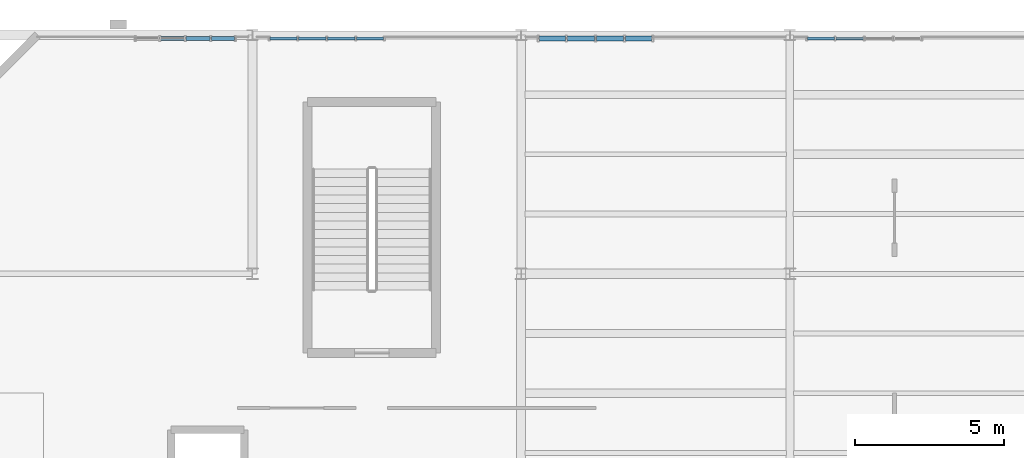
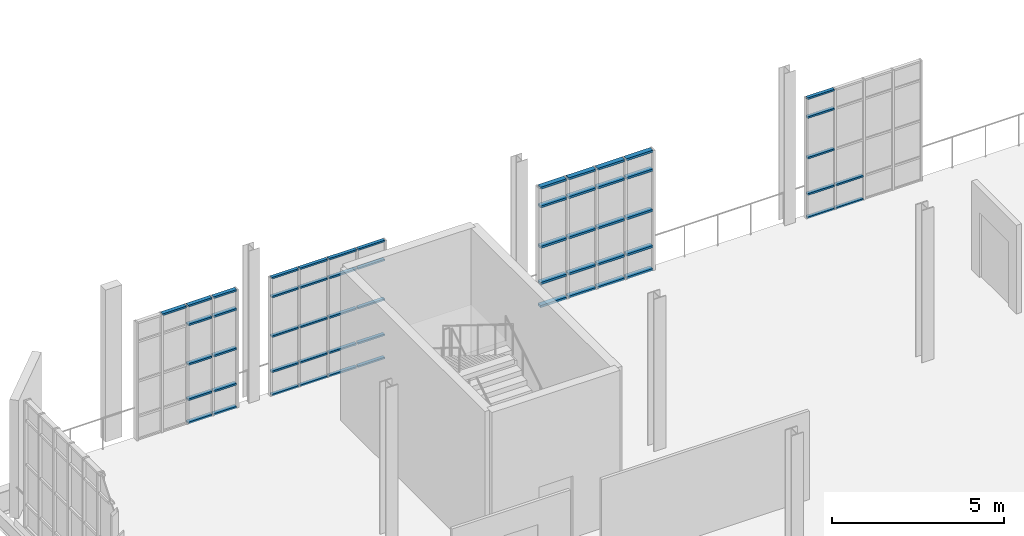
# One storey, part 96 of 142: 58 members, 4 elements without a shape of their own.
"""IFC4 building model written with IfcOpenShell, lengths in metres."""

from ifc_helpers import new_model, si_unit, direction, frame, origin, origin_2d, place, context, subcontext, project, spatial, hollow_rectangle, extrude, material, layer, layer_set, material_profile, profile_set, type_object, element, aggregate, save


model = new_model("IFC4")

# Units and contexts
model_context = context("Model", 3, precision=1e-05, world=origin(), true_north=direction((0.0, 1.0)))
body_context = subcontext(model_context, "Body", "Model", "MODEL_VIEW")
ifc_project = project(units=[si_unit("LENGTHUNIT", "METRE"), si_unit("AREAUNIT", "SQUARE_METRE"), si_unit("VOLUMEUNIT", "CUBIC_METRE"), si_unit("PLANEANGLEUNIT", "RADIAN"), si_unit("MASSUNIT", "GRAM", prefix="KILO"), si_unit("THERMODYNAMICTEMPERATUREUNIT", "KELVIN"), si_unit("POWERUNIT", "WATT")], contexts=[model_context])

# Site, building, storey
site_placement = place(None, origin())
site = spatial("IfcSite", under=ifc_project, at=site_placement, CompositionType="ELEMENT")
building_placement = place(site_placement, origin())
building = spatial("IfcBuilding", under=site, at=building_placement, Name="Zelmaris Science Centre", CompositionType="ELEMENT")
storey_placement = place(building_placement, frame((0.0, 0.0, 5.39990234375)))
storey = spatial("IfcBuildingStorey", under=building, at=storey_placement, Name="L01", CompositionType="ELEMENT", Elevation=5.39990234375)

# Curtain wall, members
ifc_material = material(Name="Anodised architectural aluminium 6063-T6", Category="aluminium")
ifc_layer_1 = layer(ifc_material, 0.219970703125, Name="Anodised architectural aluminium 6063-T6")
ifc_layer_set_1 = layer_set([ifc_layer_1], Name="Anodised architectural aluminium 6063-T6")
curtain_wall_type_1 = type_object("IfcCurtainWallType", Name="Curtain Wall CW-04", PredefinedType="USERDEFINED", material=ifc_layer_set_1)
curtain_wall_1_placement = place(storey_placement, origin())
curtain_wall_1 = element("IfcCurtainWall", 1, at=curtain_wall_1_placement, inside=storey, type_object=curtain_wall_type_1, Name="L01 Unitised curtain wall 132", ObjectType="GLAZED CURTAIN WALL", PredefinedType="USERDEFINED")
ifc_material_profile_1 = material_profile(ifc_material, hollow_rectangle(XDim=0.06005859375, YDim=0.110107421875, WallThickness=0.0029296875, at=origin_2d()), Name="ALU-TRN-60X110")
ifc_profile_set_1 = profile_set([ifc_material_profile_1], Name="Anodised architectural aluminium 6063-T6")
member_type_1 = type_object("IfcMemberType", Name="ALU-TRN-60X110", PredefinedType="USERDEFINED", material=ifc_profile_set_1)
member_1_placement = place(storey_placement, frame((63.592041015625, 87.8798828125, 0.010986328125), z_axis=(1.0, 0.0, 0.0), x_axis=(0.0, 0.0, 1.0)))
member_1 = element("IfcMember", 2, at=member_1_placement, type_object=member_type_1, Name="CW-04 transom 1.1", ObjectType="TRANSOM", PredefinedType="USERDEFINED", context=body_context, shape_type="SweptSolid", body=[
    extrude(hollow_rectangle(XDim=0.06005859375, YDim=0.110107421875, WallThickness=0.0029296875, at=origin_2d()), origin(), (0.0, 0.0, 1.0), 0.89697265625),
])
member_2_placement = place(storey_placement, frame((63.592041015625, 87.8798828125, 0.835205078125), z_axis=(1.0, 0.0, 0.0), x_axis=(0.0, 0.0, 1.0)))
member_2 = element("IfcMember", 3, at=member_2_placement, type_object=member_type_1, Name="CW-04 transom 1.2", ObjectType="TRANSOM", PredefinedType="USERDEFINED", context=body_context, shape_type="SweptSolid", body=[
    extrude(hollow_rectangle(XDim=0.06005859375, YDim=0.110107421875, WallThickness=0.0029296875, at=origin_2d()), origin(), (0.0, 0.0, 1.0), 0.89697265625),
])
member_3_placement = place(storey_placement, frame((63.592041015625, 87.8798828125, 2.088134765625), z_axis=(1.0, 0.0, 0.0), x_axis=(0.0, 0.0, 1.0)))
member_3 = element("IfcMember", 4, at=member_3_placement, type_object=member_type_1, Name="CW-04 transom 1.3", ObjectType="TRANSOM", PredefinedType="USERDEFINED", context=body_context, shape_type="SweptSolid", body=[
    extrude(hollow_rectangle(XDim=0.06005859375, YDim=0.110107421875, WallThickness=0.0029296875, at=origin_2d()), origin(), (0.0, 0.0, 1.0), 0.89697265625),
])
member_4_placement = place(storey_placement, frame((63.592041015625, 87.8798828125, 3.4912109375), z_axis=(1.0, 0.0, 0.0), x_axis=(0.0, 0.0, 1.0)))
member_4 = element("IfcMember", 5, at=member_4_placement, type_object=member_type_1, Name="CW-04 transom 1.4", ObjectType="TRANSOM", PredefinedType="USERDEFINED", context=body_context, shape_type="SweptSolid", body=[
    extrude(hollow_rectangle(XDim=0.06005859375, YDim=0.110107421875, WallThickness=0.0029296875, at=origin_2d()), origin(), (0.0, 0.0, 1.0), 0.89697265625),
])
member_5_placement = place(storey_placement, frame((63.592041015625, 87.8798828125, 4.1650390625), z_axis=(1.0, 0.0, 0.0), x_axis=(0.0, 0.0, 1.0)))
member_5 = element("IfcMember", 6, at=member_5_placement, type_object=member_type_1, Name="CW-04 transom 1.5", ObjectType="TRANSOM", PredefinedType="USERDEFINED", context=body_context, shape_type="SweptSolid", body=[
    extrude(hollow_rectangle(XDim=0.06005859375, YDim=0.110107421875, WallThickness=0.0029296875, at=origin_2d()), origin(), (0.0, 0.0, 1.0), 0.89697265625),
])
member_6_placement = place(storey_placement, frame((64.541015625, 87.8798828125, 0.010986328125), z_axis=(1.0, 0.0, 0.0), x_axis=(0.0, 0.0, 1.0)))
member_6 = element("IfcMember", 7, at=member_6_placement, type_object=member_type_1, Name="CW-04 transom 2.1", ObjectType="TRANSOM", PredefinedType="USERDEFINED", context=body_context, shape_type="SweptSolid", body=[
    extrude(hollow_rectangle(XDim=0.06005859375, YDim=0.110107421875, WallThickness=0.0029296875, at=origin_2d()), origin(), (0.0, 0.0, 1.0), 0.923095703125),
])
member_7_placement = place(storey_placement, frame((64.541015625, 87.8798828125, 0.835205078125), z_axis=(1.0, 0.0, 0.0), x_axis=(0.0, 0.0, 1.0)))
member_7 = element("IfcMember", 8, at=member_7_placement, type_object=member_type_1, Name="CW-04 transom 2.2", ObjectType="TRANSOM", PredefinedType="USERDEFINED", context=body_context, shape_type="SweptSolid", body=[
    extrude(hollow_rectangle(XDim=0.06005859375, YDim=0.110107421875, WallThickness=0.0029296875, at=origin_2d()), origin(), (0.0, 0.0, 1.0), 0.923095703125),
])
member_8_placement = place(storey_placement, frame((64.541015625, 87.8798828125, 2.088134765625), z_axis=(1.0, 0.0, 0.0), x_axis=(0.0, 0.0, 1.0)))
member_8 = element("IfcMember", 9, at=member_8_placement, type_object=member_type_1, Name="CW-04 transom 2.3", ObjectType="TRANSOM", PredefinedType="USERDEFINED", context=body_context, shape_type="SweptSolid", body=[
    extrude(hollow_rectangle(XDim=0.06005859375, YDim=0.110107421875, WallThickness=0.0029296875, at=origin_2d()), origin(), (0.0, 0.0, 1.0), 0.923095703125),
])
member_9_placement = place(storey_placement, frame((64.541015625, 87.8798828125, 3.4912109375), z_axis=(1.0, 0.0, 0.0), x_axis=(0.0, 0.0, 1.0)))
member_9 = element("IfcMember", 10, at=member_9_placement, type_object=member_type_1, Name="CW-04 transom 2.4", ObjectType="TRANSOM", PredefinedType="USERDEFINED", context=body_context, shape_type="SweptSolid", body=[
    extrude(hollow_rectangle(XDim=0.06005859375, YDim=0.110107421875, WallThickness=0.0029296875, at=origin_2d()), origin(), (0.0, 0.0, 1.0), 0.923095703125),
])
member_10_placement = place(storey_placement, frame((64.541015625, 87.8798828125, 4.1650390625), z_axis=(1.0, 0.0, 0.0), x_axis=(0.0, 0.0, 1.0)))
member_10 = element("IfcMember", 11, at=member_10_placement, type_object=member_type_1, Name="CW-04 transom 2.5", ObjectType="TRANSOM", PredefinedType="USERDEFINED", context=body_context, shape_type="SweptSolid", body=[
    extrude(hollow_rectangle(XDim=0.06005859375, YDim=0.110107421875, WallThickness=0.0029296875, at=origin_2d()), origin(), (0.0, 0.0, 1.0), 0.923095703125),
])
member_11_placement = place(storey_placement, frame((65.51611328125, 87.8798828125, 0.010986328125), z_axis=(1.0, 0.0, 0.0), x_axis=(0.0, 0.0, 1.0)))
member_11 = element("IfcMember", 12, at=member_11_placement, type_object=member_type_1, Name="CW-04 transom 3.1", ObjectType="TRANSOM", PredefinedType="USERDEFINED", context=body_context, shape_type="SweptSolid", body=[
    extrude(hollow_rectangle(XDim=0.06005859375, YDim=0.110107421875, WallThickness=0.0029296875, at=origin_2d()), origin(), (0.0, 0.0, 1.0), 0.9228515625),
])
member_12_placement = place(storey_placement, frame((65.51611328125, 87.8798828125, 0.835205078125), z_axis=(1.0, 0.0, 0.0), x_axis=(0.0, 0.0, 1.0)))
member_12 = element("IfcMember", 13, at=member_12_placement, type_object=member_type_1, Name="CW-04 transom 3.2", ObjectType="TRANSOM", PredefinedType="USERDEFINED", context=body_context, shape_type="SweptSolid", body=[
    extrude(hollow_rectangle(XDim=0.06005859375, YDim=0.110107421875, WallThickness=0.0029296875, at=origin_2d()), origin(), (0.0, 0.0, 1.0), 0.9228515625),
])
member_13_placement = place(storey_placement, frame((65.51611328125, 87.8798828125, 2.088134765625), z_axis=(1.0, 0.0, 0.0), x_axis=(0.0, 0.0, 1.0)))
member_13 = element("IfcMember", 14, at=member_13_placement, type_object=member_type_1, Name="CW-04 transom 3.3", ObjectType="TRANSOM", PredefinedType="USERDEFINED", context=body_context, shape_type="SweptSolid", body=[
    extrude(hollow_rectangle(XDim=0.06005859375, YDim=0.110107421875, WallThickness=0.0029296875, at=origin_2d()), origin(), (0.0, 0.0, 1.0), 0.9228515625),
])
member_14_placement = place(storey_placement, frame((65.51611328125, 87.8798828125, 3.4912109375), z_axis=(1.0, 0.0, 0.0), x_axis=(0.0, 0.0, 1.0)))
member_14 = element("IfcMember", 15, at=member_14_placement, type_object=member_type_1, Name="CW-04 transom 3.4", ObjectType="TRANSOM", PredefinedType="USERDEFINED", context=body_context, shape_type="SweptSolid", body=[
    extrude(hollow_rectangle(XDim=0.06005859375, YDim=0.110107421875, WallThickness=0.0029296875, at=origin_2d()), origin(), (0.0, 0.0, 1.0), 0.9228515625),
])
member_15_placement = place(storey_placement, frame((65.51611328125, 87.8798828125, 4.1650390625), z_axis=(1.0, 0.0, 0.0), x_axis=(0.0, 0.0, 1.0)))
member_15 = element("IfcMember", 16, at=member_15_placement, type_object=member_type_1, Name="CW-04 transom 3.5", ObjectType="TRANSOM", PredefinedType="USERDEFINED", context=body_context, shape_type="SweptSolid", body=[
    extrude(hollow_rectangle(XDim=0.06005859375, YDim=0.110107421875, WallThickness=0.0029296875, at=origin_2d()), origin(), (0.0, 0.0, 1.0), 0.9228515625),
])
member_16_placement = place(storey_placement, frame((66.490966796875, 87.8798828125, 0.010986328125), z_axis=(1.0, 0.0, 0.0), x_axis=(0.0, 0.0, 1.0)))
member_16 = element("IfcMember", 17, at=member_16_placement, type_object=member_type_1, Name="CW-04 transom 4.1", ObjectType="TRANSOM", PredefinedType="USERDEFINED", context=body_context, shape_type="SweptSolid", body=[
    extrude(hollow_rectangle(XDim=0.06005859375, YDim=0.110107421875, WallThickness=0.0029296875, at=origin_2d()), origin(), (0.0, 0.0, 1.0), 0.89697265625),
])
member_17_placement = place(storey_placement, frame((66.490966796875, 87.8798828125, 0.835205078125), z_axis=(1.0, 0.0, 0.0), x_axis=(0.0, 0.0, 1.0)))
member_17 = element("IfcMember", 18, at=member_17_placement, type_object=member_type_1, Name="CW-04 transom 4.2", ObjectType="TRANSOM", PredefinedType="USERDEFINED", context=body_context, shape_type="SweptSolid", body=[
    extrude(hollow_rectangle(XDim=0.06005859375, YDim=0.110107421875, WallThickness=0.0029296875, at=origin_2d()), origin(), (0.0, 0.0, 1.0), 0.89697265625),
])
member_18_placement = place(storey_placement, frame((66.490966796875, 87.8798828125, 2.088134765625), z_axis=(1.0, 0.0, 0.0), x_axis=(0.0, 0.0, 1.0)))
member_18 = element("IfcMember", 19, at=member_18_placement, type_object=member_type_1, Name="CW-04 transom 4.3", ObjectType="TRANSOM", PredefinedType="USERDEFINED", context=body_context, shape_type="SweptSolid", body=[
    extrude(hollow_rectangle(XDim=0.06005859375, YDim=0.110107421875, WallThickness=0.0029296875, at=origin_2d()), origin(), (0.0, 0.0, 1.0), 0.89697265625),
])
member_19_placement = place(storey_placement, frame((66.490966796875, 87.8798828125, 3.4912109375), z_axis=(1.0, 0.0, 0.0), x_axis=(0.0, 0.0, 1.0)))
member_19 = element("IfcMember", 20, at=member_19_placement, type_object=member_type_1, Name="CW-04 transom 4.4", ObjectType="TRANSOM", PredefinedType="USERDEFINED", context=body_context, shape_type="SweptSolid", body=[
    extrude(hollow_rectangle(XDim=0.06005859375, YDim=0.110107421875, WallThickness=0.0029296875, at=origin_2d()), origin(), (0.0, 0.0, 1.0), 0.89697265625),
])
member_20_placement = place(storey_placement, frame((66.490966796875, 87.8798828125, 4.1650390625), z_axis=(1.0, 0.0, 0.0), x_axis=(0.0, 0.0, 1.0)))
member_20 = element("IfcMember", 21, at=member_20_placement, type_object=member_type_1, Name="CW-04 transom 4.5", ObjectType="TRANSOM", PredefinedType="USERDEFINED", context=body_context, shape_type="SweptSolid", body=[
    extrude(hollow_rectangle(XDim=0.06005859375, YDim=0.110107421875, WallThickness=0.0029296875, at=origin_2d()), origin(), (0.0, 0.0, 1.0), 0.89697265625),
])
aggregate(curtain_wall_1, [member_1, member_2, member_3, member_4, member_5, member_6, member_7, member_8, member_9, member_10, member_11, member_12, member_13, member_14, member_15, member_16, member_17, member_18, member_19, member_20])

curtain_wall_2_placement = place(storey_placement, origin())
curtain_wall_2 = element("IfcCurtainWall", 22, at=curtain_wall_2_placement, inside=storey, type_object=curtain_wall_type_1, Name="L01 Unitised curtain wall 136", ObjectType="GLAZED CURTAIN WALL", PredefinedType="USERDEFINED")
member_21_placement = place(storey_placement, frame((81.592041015625, 87.8798828125, 0.010986328125), z_axis=(1.0, 0.0, 0.0), x_axis=(0.0, 0.0, 1.0)))
member_21 = element("IfcMember", 23, at=member_21_placement, type_object=member_type_1, Name="CW-04 transom 1.1", ObjectType="TRANSOM", PredefinedType="USERDEFINED", context=body_context, shape_type="SweptSolid", body=[
    extrude(hollow_rectangle(XDim=0.06005859375, YDim=0.110107421875, WallThickness=0.0029296875, at=origin_2d()), origin(), (0.0, 0.0, 1.0), 0.89697265625),
])
member_22_placement = place(storey_placement, frame((81.592041015625, 87.8798828125, 0.835205078125), z_axis=(1.0, 0.0, 0.0), x_axis=(0.0, 0.0, 1.0)))
member_22 = element("IfcMember", 24, at=member_22_placement, type_object=member_type_1, Name="CW-04 transom 1.2", ObjectType="TRANSOM", PredefinedType="USERDEFINED", context=body_context, shape_type="SweptSolid", body=[
    extrude(hollow_rectangle(XDim=0.06005859375, YDim=0.110107421875, WallThickness=0.0029296875, at=origin_2d()), origin(), (0.0, 0.0, 1.0), 0.89697265625),
])
member_23_placement = place(storey_placement, frame((81.592041015625, 87.8798828125, 2.12451171875), z_axis=(1.0, 0.0, 0.0), x_axis=(0.0, 0.0, 1.0)))
member_23 = element("IfcMember", 25, at=member_23_placement, type_object=member_type_1, Name="CW-04 transom 1.3", ObjectType="TRANSOM", PredefinedType="USERDEFINED", context=body_context, shape_type="SweptSolid", body=[
    extrude(hollow_rectangle(XDim=0.06005859375, YDim=0.110107421875, WallThickness=0.0029296875, at=origin_2d()), origin(), (0.0, 0.0, 1.0), 0.89697265625),
])
member_24_placement = place(storey_placement, frame((81.592041015625, 87.8798828125, 3.564208984375), z_axis=(1.0, 0.0, 0.0), x_axis=(0.0, 0.0, 1.0)))
member_24 = element("IfcMember", 26, at=member_24_placement, type_object=member_type_1, Name="CW-04 transom 1.4", ObjectType="TRANSOM", PredefinedType="USERDEFINED", context=body_context, shape_type="SweptSolid", body=[
    extrude(hollow_rectangle(XDim=0.06005859375, YDim=0.110107421875, WallThickness=0.0029296875, at=origin_2d()), origin(), (0.0, 0.0, 1.0), 0.89697265625),
])
member_25_placement = place(storey_placement, frame((81.592041015625, 87.8798828125, 4.238037109375), z_axis=(1.0, 0.0, 0.0), x_axis=(0.0, 0.0, 1.0)))
member_25 = element("IfcMember", 27, at=member_25_placement, type_object=member_type_1, Name="CW-04 transom 1.5", ObjectType="TRANSOM", PredefinedType="USERDEFINED", context=body_context, shape_type="SweptSolid", body=[
    extrude(hollow_rectangle(XDim=0.06005859375, YDim=0.110107421875, WallThickness=0.0029296875, at=origin_2d()), origin(), (0.0, 0.0, 1.0), 0.89697265625),
])
member_26_placement = place(storey_placement, frame((82.541015625, 87.8798828125, 0.010986328125), z_axis=(1.0, 0.0, 0.0), x_axis=(0.0, 0.0, 1.0)))
member_26 = element("IfcMember", 28, at=member_26_placement, type_object=member_type_1, Name="CW-04 transom 2.1", ObjectType="TRANSOM", PredefinedType="USERDEFINED", context=body_context, shape_type="SweptSolid", body=[
    extrude(hollow_rectangle(XDim=0.06005859375, YDim=0.110107421875, WallThickness=0.0029296875, at=origin_2d()), origin(), (0.0, 0.0, 1.0), 0.923095703125),
])
member_27_placement = place(storey_placement, frame((82.541015625, 87.8798828125, 0.835205078125), z_axis=(1.0, 0.0, 0.0), x_axis=(0.0, 0.0, 1.0)))
member_27 = element("IfcMember", 29, at=member_27_placement, type_object=member_type_1, Name="CW-04 transom 2.2", ObjectType="TRANSOM", PredefinedType="USERDEFINED", context=body_context, shape_type="SweptSolid", body=[
    extrude(hollow_rectangle(XDim=0.06005859375, YDim=0.110107421875, WallThickness=0.0029296875, at=origin_2d()), origin(), (0.0, 0.0, 1.0), 0.923095703125),
])
aggregate(curtain_wall_2, [member_21, member_22, member_23, member_24, member_25, member_26, member_27])

ifc_layer_2 = layer(ifc_material, 0.2099609375, Name="Anodised architectural aluminium 6063-T6")
ifc_layer_set_2 = layer_set([ifc_layer_2], Name="Anodised architectural aluminium 6063-T6")
curtain_wall_type_2 = type_object("IfcCurtainWallType", Name="Curtain Wall CW-03", PredefinedType="USERDEFINED", material=ifc_layer_set_2)
curtain_wall_3_placement = place(storey_placement, origin())
curtain_wall_3 = element("IfcCurtainWall", 30, at=curtain_wall_3_placement, inside=storey, type_object=curtain_wall_type_2, Name="L01 Unitised curtain wall 131", ObjectType="GLAZED CURTAIN WALL", PredefinedType="USERDEFINED")
ifc_material_profile_2 = material_profile(ifc_material, hollow_rectangle(XDim=0.06494140625, YDim=0.1298828125, WallThickness=0.00341796875, at=origin_2d()), Name="ALU-TRN-65X130")
ifc_profile_set_2 = profile_set([ifc_material_profile_2], Name="Anodised architectural aluminium 6063-T6")
member_type_2 = type_object("IfcMemberType", Name="ALU-TRN-65X130", PredefinedType="USERDEFINED", material=ifc_profile_set_2)
member_28_placement = place(storey_placement, frame((59.923583984375, 87.8798828125, 4.16259765625), z_axis=(1.0, 0.0, 0.0), x_axis=(0.0, 0.0, 1.0)))
member_28 = element("IfcMember", 31, at=member_28_placement, type_object=member_type_2, Name="CW-03 transom 2.5", ObjectType="TRANSOM", PredefinedType="USERDEFINED", context=body_context, shape_type="SweptSolid", body=[
    extrude(hollow_rectangle(XDim=0.06494140625, YDim=0.1298828125, WallThickness=0.00341796875, at=origin_2d()), origin(), (0.0, 0.0, 1.0), 0.7978515625),
])
member_29_placement = place(storey_placement, frame((60.778564453125, 87.8798828125, 0.013671875), z_axis=(1.0, 0.0, 0.0), x_axis=(0.0, 0.0, 1.0)))
member_29 = element("IfcMember", 32, at=member_29_placement, type_object=member_type_2, Name="CW-03 transom 3.1", ObjectType="TRANSOM", PredefinedType="USERDEFINED", context=body_context, shape_type="SweptSolid", body=[
    extrude(hollow_rectangle(XDim=0.06494140625, YDim=0.1298828125, WallThickness=0.00341796875, at=origin_2d()), origin(), (0.0, 0.0, 1.0), 0.7978515625),
])
member_30_placement = place(storey_placement, frame((60.778564453125, 87.8798828125, 0.835205078125), z_axis=(1.0, 0.0, 0.0), x_axis=(0.0, 0.0, 1.0)))
member_30 = element("IfcMember", 33, at=member_30_placement, type_object=member_type_2, Name="CW-03 transom 3.2", ObjectType="TRANSOM", PredefinedType="USERDEFINED", context=body_context, shape_type="SweptSolid", body=[
    extrude(hollow_rectangle(XDim=0.06494140625, YDim=0.1298828125, WallThickness=0.00341796875, at=origin_2d()), origin(), (0.0, 0.0, 1.0), 0.7978515625),
])
member_31_placement = place(storey_placement, frame((60.778564453125, 87.8798828125, 2.088134765625), z_axis=(1.0, 0.0, 0.0), x_axis=(0.0, 0.0, 1.0)))
member_31 = element("IfcMember", 34, at=member_31_placement, type_object=member_type_2, Name="CW-03 transom 3.3", ObjectType="TRANSOM", PredefinedType="USERDEFINED", context=body_context, shape_type="SweptSolid", body=[
    extrude(hollow_rectangle(XDim=0.06494140625, YDim=0.1298828125, WallThickness=0.00341796875, at=origin_2d()), origin(), (0.0, 0.0, 1.0), 0.7978515625),
])
member_32_placement = place(storey_placement, frame((60.778564453125, 87.8798828125, 3.4912109375), z_axis=(1.0, 0.0, 0.0), x_axis=(0.0, 0.0, 1.0)))
member_32 = element("IfcMember", 35, at=member_32_placement, type_object=member_type_2, Name="CW-03 transom 3.4", ObjectType="TRANSOM", PredefinedType="USERDEFINED", context=body_context, shape_type="SweptSolid", body=[
    extrude(hollow_rectangle(XDim=0.06494140625, YDim=0.1298828125, WallThickness=0.00341796875, at=origin_2d()), origin(), (0.0, 0.0, 1.0), 0.7978515625),
])
member_33_placement = place(storey_placement, frame((60.778564453125, 87.8798828125, 4.16259765625), z_axis=(1.0, 0.0, 0.0), x_axis=(0.0, 0.0, 1.0)))
member_33 = element("IfcMember", 36, at=member_33_placement, type_object=member_type_2, Name="CW-03 transom 3.5", ObjectType="TRANSOM", PredefinedType="USERDEFINED", context=body_context, shape_type="SweptSolid", body=[
    extrude(hollow_rectangle(XDim=0.06494140625, YDim=0.1298828125, WallThickness=0.00341796875, at=origin_2d()), origin(), (0.0, 0.0, 1.0), 0.7978515625),
])
member_34_placement = place(storey_placement, frame((61.633544921875, 87.8798828125, 0.013671875), z_axis=(1.0, 0.0, 0.0), x_axis=(0.0, 0.0, 1.0)))
member_34 = element("IfcMember", 37, at=member_34_placement, type_object=member_type_2, Name="CW-03 transom 4.1", ObjectType="TRANSOM", PredefinedType="USERDEFINED", context=body_context, shape_type="SweptSolid", body=[
    extrude(hollow_rectangle(XDim=0.06494140625, YDim=0.1298828125, WallThickness=0.00341796875, at=origin_2d()), origin(), (0.0, 0.0, 1.0), 0.76953125),
])
member_35_placement = place(storey_placement, frame((61.633544921875, 87.8798828125, 0.835205078125), z_axis=(1.0, 0.0, 0.0), x_axis=(0.0, 0.0, 1.0)))
member_35 = element("IfcMember", 38, at=member_35_placement, type_object=member_type_2, Name="CW-03 transom 4.2", ObjectType="TRANSOM", PredefinedType="USERDEFINED", context=body_context, shape_type="SweptSolid", body=[
    extrude(hollow_rectangle(XDim=0.06494140625, YDim=0.1298828125, WallThickness=0.00341796875, at=origin_2d()), origin(), (0.0, 0.0, 1.0), 0.76953125),
])
member_36_placement = place(storey_placement, frame((61.633544921875, 87.8798828125, 2.088134765625), z_axis=(1.0, 0.0, 0.0), x_axis=(0.0, 0.0, 1.0)))
member_36 = element("IfcMember", 39, at=member_36_placement, type_object=member_type_2, Name="CW-03 transom 4.3", ObjectType="TRANSOM", PredefinedType="USERDEFINED", context=body_context, shape_type="SweptSolid", body=[
    extrude(hollow_rectangle(XDim=0.06494140625, YDim=0.1298828125, WallThickness=0.00341796875, at=origin_2d()), origin(), (0.0, 0.0, 1.0), 0.76953125),
])
member_37_placement = place(storey_placement, frame((61.633544921875, 87.8798828125, 3.4912109375), z_axis=(1.0, 0.0, 0.0), x_axis=(0.0, 0.0, 1.0)))
member_37 = element("IfcMember", 40, at=member_37_placement, type_object=member_type_2, Name="CW-03 transom 4.4", ObjectType="TRANSOM", PredefinedType="USERDEFINED", context=body_context, shape_type="SweptSolid", body=[
    extrude(hollow_rectangle(XDim=0.06494140625, YDim=0.1298828125, WallThickness=0.00341796875, at=origin_2d()), origin(), (0.0, 0.0, 1.0), 0.76953125),
])
member_38_placement = place(storey_placement, frame((61.633544921875, 87.8798828125, 4.16259765625), z_axis=(1.0, 0.0, 0.0), x_axis=(0.0, 0.0, 1.0)))
member_38 = element("IfcMember", 41, at=member_38_placement, type_object=member_type_2, Name="CW-03 transom 4.5", ObjectType="TRANSOM", PredefinedType="USERDEFINED", context=body_context, shape_type="SweptSolid", body=[
    extrude(hollow_rectangle(XDim=0.06494140625, YDim=0.1298828125, WallThickness=0.00341796875, at=origin_2d()), origin(), (0.0, 0.0, 1.0), 0.76953125),
])
aggregate(curtain_wall_3, [member_28, member_29, member_30, member_31, member_32, member_33, member_34, member_35, member_36, member_37, member_38])

ifc_layer_3 = layer(ifc_material, 0.199951171875, Name="Anodised architectural aluminium 6063-T6")
ifc_layer_set_3 = layer_set([ifc_layer_3], Name="Anodised architectural aluminium 6063-T6")
curtain_wall_type_3 = type_object("IfcCurtainWallType", Name="Curtain Wall CW-02", PredefinedType="USERDEFINED", material=ifc_layer_set_3)
curtain_wall_4_placement = place(storey_placement, origin())
curtain_wall_4 = element("IfcCurtainWall", 42, at=curtain_wall_4_placement, inside=storey, type_object=curtain_wall_type_3, Name="L01 Unitised curtain wall 134", ObjectType="GLAZED CURTAIN WALL", PredefinedType="USERDEFINED")
ifc_material_profile_3 = material_profile(ifc_material, hollow_rectangle(XDim=0.074951171875, YDim=0.159912109375, WallThickness=0.00390625, at=origin_2d()), Name="ALU-TRN-75X160")
ifc_profile_set_3 = profile_set([ifc_material_profile_3], Name="Anodised architectural aluminium 6063-T6")
member_type_3 = type_object("IfcMemberType", Name="ALU-TRN-75X160", PredefinedType="USERDEFINED", material=ifc_profile_set_3)
member_39_placement = place(storey_placement, frame((72.60693359375, 87.8798828125, 0.0185546875), z_axis=(1.0, 0.0, 0.0), x_axis=(0.0, 0.0, 1.0)))
member_39 = element("IfcMember", 43, at=member_39_placement, type_object=member_type_3, Name="CW-02 transom 1.1", ObjectType="TRANSOM", PredefinedType="USERDEFINED", context=body_context, shape_type="SweptSolid", body=[
    extrude(hollow_rectangle(XDim=0.074951171875, YDim=0.159912109375, WallThickness=0.00390625, at=origin_2d()), origin(), (0.0, 0.0, 1.0), 0.87451171875),
])
member_40_placement = place(storey_placement, frame((72.60693359375, 87.8798828125, 0.835205078125), z_axis=(1.0, 0.0, 0.0), x_axis=(0.0, 0.0, 1.0)))
member_40 = element("IfcMember", 44, at=member_40_placement, type_object=member_type_3, Name="CW-02 transom 1.2", ObjectType="TRANSOM", PredefinedType="USERDEFINED", context=body_context, shape_type="SweptSolid", body=[
    extrude(hollow_rectangle(XDim=0.074951171875, YDim=0.159912109375, WallThickness=0.00390625, at=origin_2d()), origin(), (0.0, 0.0, 1.0), 0.87451171875),
])
member_41_placement = place(storey_placement, frame((72.60693359375, 87.8798828125, 2.11962890625), z_axis=(1.0, 0.0, 0.0), x_axis=(0.0, 0.0, 1.0)))
member_41 = element("IfcMember", 45, at=member_41_placement, type_object=member_type_3, Name="CW-02 transom 1.3", ObjectType="TRANSOM", PredefinedType="USERDEFINED", context=body_context, shape_type="SweptSolid", body=[
    extrude(hollow_rectangle(XDim=0.074951171875, YDim=0.159912109375, WallThickness=0.00390625, at=origin_2d()), origin(), (0.0, 0.0, 1.0), 0.87451171875),
])
member_42_placement = place(storey_placement, frame((72.60693359375, 87.8798828125, 3.55419921875), z_axis=(1.0, 0.0, 0.0), x_axis=(0.0, 0.0, 1.0)))
member_42 = element("IfcMember", 46, at=member_42_placement, type_object=member_type_3, Name="CW-02 transom 1.4", ObjectType="TRANSOM", PredefinedType="USERDEFINED", context=body_context, shape_type="SweptSolid", body=[
    extrude(hollow_rectangle(XDim=0.074951171875, YDim=0.159912109375, WallThickness=0.00390625, at=origin_2d()), origin(), (0.0, 0.0, 1.0), 0.87451171875),
])
member_43_placement = place(storey_placement, frame((72.60693359375, 87.8798828125, 4.220703125), z_axis=(1.0, 0.0, 0.0), x_axis=(0.0, 0.0, 1.0)))
member_43 = element("IfcMember", 47, at=member_43_placement, type_object=member_type_3, Name="CW-02 transom 1.5", ObjectType="TRANSOM", PredefinedType="USERDEFINED", context=body_context, shape_type="SweptSolid", body=[
    extrude(hollow_rectangle(XDim=0.074951171875, YDim=0.159912109375, WallThickness=0.00390625, at=origin_2d()), origin(), (0.0, 0.0, 1.0), 0.87451171875),
])
member_44_placement = place(storey_placement, frame((73.548583984375, 87.8798828125, 0.0185546875), z_axis=(1.0, 0.0, 0.0), x_axis=(0.0, 0.0, 1.0)))
member_44 = element("IfcMember", 48, at=member_44_placement, type_object=member_type_3, Name="CW-02 transom 2.1", ObjectType="TRANSOM", PredefinedType="USERDEFINED", context=body_context, shape_type="SweptSolid", body=[
    extrude(hollow_rectangle(XDim=0.074951171875, YDim=0.159912109375, WallThickness=0.00390625, at=origin_2d()), origin(), (0.0, 0.0, 1.0), 0.907958984375),
])
member_45_placement = place(storey_placement, frame((73.548583984375, 87.8798828125, 0.835205078125), z_axis=(1.0, 0.0, 0.0), x_axis=(0.0, 0.0, 1.0)))
member_45 = element("IfcMember", 49, at=member_45_placement, type_object=member_type_3, Name="CW-02 transom 2.2", ObjectType="TRANSOM", PredefinedType="USERDEFINED", context=body_context, shape_type="SweptSolid", body=[
    extrude(hollow_rectangle(XDim=0.074951171875, YDim=0.159912109375, WallThickness=0.00390625, at=origin_2d()), origin(), (0.0, 0.0, 1.0), 0.907958984375),
])
member_46_placement = place(storey_placement, frame((73.548583984375, 87.8798828125, 2.11962890625), z_axis=(1.0, 0.0, 0.0), x_axis=(0.0, 0.0, 1.0)))
member_46 = element("IfcMember", 50, at=member_46_placement, type_object=member_type_3, Name="CW-02 transom 2.3", ObjectType="TRANSOM", PredefinedType="USERDEFINED", context=body_context, shape_type="SweptSolid", body=[
    extrude(hollow_rectangle(XDim=0.074951171875, YDim=0.159912109375, WallThickness=0.00390625, at=origin_2d()), origin(), (0.0, 0.0, 1.0), 0.907958984375),
])
member_47_placement = place(storey_placement, frame((73.548583984375, 87.8798828125, 3.55419921875), z_axis=(1.0, 0.0, 0.0), x_axis=(0.0, 0.0, 1.0)))
member_47 = element("IfcMember", 51, at=member_47_placement, type_object=member_type_3, Name="CW-02 transom 2.4", ObjectType="TRANSOM", PredefinedType="USERDEFINED", context=body_context, shape_type="SweptSolid", body=[
    extrude(hollow_rectangle(XDim=0.074951171875, YDim=0.159912109375, WallThickness=0.00390625, at=origin_2d()), origin(), (0.0, 0.0, 1.0), 0.907958984375),
])
member_48_placement = place(storey_placement, frame((73.548583984375, 87.8798828125, 4.220703125), z_axis=(1.0, 0.0, 0.0), x_axis=(0.0, 0.0, 1.0)))
member_48 = element("IfcMember", 52, at=member_48_placement, type_object=member_type_3, Name="CW-02 transom 2.5", ObjectType="TRANSOM", PredefinedType="USERDEFINED", context=body_context, shape_type="SweptSolid", body=[
    extrude(hollow_rectangle(XDim=0.074951171875, YDim=0.159912109375, WallThickness=0.00390625, at=origin_2d()), origin(), (0.0, 0.0, 1.0), 0.907958984375),
])
member_49_placement = place(storey_placement, frame((74.5234375, 87.8798828125, 0.0185546875), z_axis=(1.0, 0.0, 0.0), x_axis=(0.0, 0.0, 1.0)))
member_49 = element("IfcMember", 53, at=member_49_placement, type_object=member_type_3, Name="CW-02 transom 3.1", ObjectType="TRANSOM", PredefinedType="USERDEFINED", context=body_context, shape_type="SweptSolid", body=[
    extrude(hollow_rectangle(XDim=0.074951171875, YDim=0.159912109375, WallThickness=0.00390625, at=origin_2d()), origin(), (0.0, 0.0, 1.0), 0.907958984375),
])
member_50_placement = place(storey_placement, frame((74.5234375, 87.8798828125, 0.835205078125), z_axis=(1.0, 0.0, 0.0), x_axis=(0.0, 0.0, 1.0)))
member_50 = element("IfcMember", 54, at=member_50_placement, type_object=member_type_3, Name="CW-02 transom 3.2", ObjectType="TRANSOM", PredefinedType="USERDEFINED", context=body_context, shape_type="SweptSolid", body=[
    extrude(hollow_rectangle(XDim=0.074951171875, YDim=0.159912109375, WallThickness=0.00390625, at=origin_2d()), origin(), (0.0, 0.0, 1.0), 0.907958984375),
])
member_51_placement = place(storey_placement, frame((74.5234375, 87.8798828125, 2.11962890625), z_axis=(1.0, 0.0, 0.0), x_axis=(0.0, 0.0, 1.0)))
member_51 = element("IfcMember", 55, at=member_51_placement, type_object=member_type_3, Name="CW-02 transom 3.3", ObjectType="TRANSOM", PredefinedType="USERDEFINED", context=body_context, shape_type="SweptSolid", body=[
    extrude(hollow_rectangle(XDim=0.074951171875, YDim=0.159912109375, WallThickness=0.00390625, at=origin_2d()), origin(), (0.0, 0.0, 1.0), 0.907958984375),
])
member_52_placement = place(storey_placement, frame((74.5234375, 87.8798828125, 3.55419921875), z_axis=(1.0, 0.0, 0.0), x_axis=(0.0, 0.0, 1.0)))
member_52 = element("IfcMember", 56, at=member_52_placement, type_object=member_type_3, Name="CW-02 transom 3.4", ObjectType="TRANSOM", PredefinedType="USERDEFINED", context=body_context, shape_type="SweptSolid", body=[
    extrude(hollow_rectangle(XDim=0.074951171875, YDim=0.159912109375, WallThickness=0.00390625, at=origin_2d()), origin(), (0.0, 0.0, 1.0), 0.907958984375),
])
member_53_placement = place(storey_placement, frame((74.5234375, 87.8798828125, 4.220703125), z_axis=(1.0, 0.0, 0.0), x_axis=(0.0, 0.0, 1.0)))
member_53 = element("IfcMember", 57, at=member_53_placement, type_object=member_type_3, Name="CW-02 transom 3.5", ObjectType="TRANSOM", PredefinedType="USERDEFINED", context=body_context, shape_type="SweptSolid", body=[
    extrude(hollow_rectangle(XDim=0.074951171875, YDim=0.159912109375, WallThickness=0.00390625, at=origin_2d()), origin(), (0.0, 0.0, 1.0), 0.907958984375),
])
member_54_placement = place(storey_placement, frame((75.49853515625, 87.8798828125, 0.0185546875), z_axis=(1.0, 0.0, 0.0), x_axis=(0.0, 0.0, 1.0)))
member_54 = element("IfcMember", 58, at=member_54_placement, type_object=member_type_3, Name="CW-02 transom 4.1", ObjectType="TRANSOM", PredefinedType="USERDEFINED", context=body_context, shape_type="SweptSolid", body=[
    extrude(hollow_rectangle(XDim=0.074951171875, YDim=0.159912109375, WallThickness=0.00390625, at=origin_2d()), origin(), (0.0, 0.0, 1.0), 0.87451171875),
])
member_55_placement = place(storey_placement, frame((75.49853515625, 87.8798828125, 0.835205078125), z_axis=(1.0, 0.0, 0.0), x_axis=(0.0, 0.0, 1.0)))
member_55 = element("IfcMember", 59, at=member_55_placement, type_object=member_type_3, Name="CW-02 transom 4.2", ObjectType="TRANSOM", PredefinedType="USERDEFINED", context=body_context, shape_type="SweptSolid", body=[
    extrude(hollow_rectangle(XDim=0.074951171875, YDim=0.159912109375, WallThickness=0.00390625, at=origin_2d()), origin(), (0.0, 0.0, 1.0), 0.87451171875),
])
member_56_placement = place(storey_placement, frame((75.49853515625, 87.8798828125, 2.11962890625), z_axis=(1.0, 0.0, 0.0), x_axis=(0.0, 0.0, 1.0)))
member_56 = element("IfcMember", 60, at=member_56_placement, type_object=member_type_3, Name="CW-02 transom 4.3", ObjectType="TRANSOM", PredefinedType="USERDEFINED", context=body_context, shape_type="SweptSolid", body=[
    extrude(hollow_rectangle(XDim=0.074951171875, YDim=0.159912109375, WallThickness=0.00390625, at=origin_2d()), origin(), (0.0, 0.0, 1.0), 0.87451171875),
])
member_57_placement = place(storey_placement, frame((75.49853515625, 87.8798828125, 3.55419921875), z_axis=(1.0, 0.0, 0.0), x_axis=(0.0, 0.0, 1.0)))
member_57 = element("IfcMember", 61, at=member_57_placement, type_object=member_type_3, Name="CW-02 transom 4.4", ObjectType="TRANSOM", PredefinedType="USERDEFINED", context=body_context, shape_type="SweptSolid", body=[
    extrude(hollow_rectangle(XDim=0.074951171875, YDim=0.159912109375, WallThickness=0.00390625, at=origin_2d()), origin(), (0.0, 0.0, 1.0), 0.87451171875),
])
member_58_placement = place(storey_placement, frame((75.49853515625, 87.8798828125, 4.220703125), z_axis=(1.0, 0.0, 0.0), x_axis=(0.0, 0.0, 1.0)))
member_58 = element("IfcMember", 62, at=member_58_placement, type_object=member_type_3, Name="CW-02 transom 4.5", ObjectType="TRANSOM", PredefinedType="USERDEFINED", context=body_context, shape_type="SweptSolid", body=[
    extrude(hollow_rectangle(XDim=0.074951171875, YDim=0.159912109375, WallThickness=0.00390625, at=origin_2d()), origin(), (0.0, 0.0, 1.0), 0.87451171875),
])
aggregate(curtain_wall_4, [member_39, member_40, member_41, member_42, member_43, member_44, member_45, member_46, member_47, member_48, member_49, member_50, member_51, member_52, member_53, member_54, member_55, member_56, member_57, member_58])

save(model, "model.ifc")
